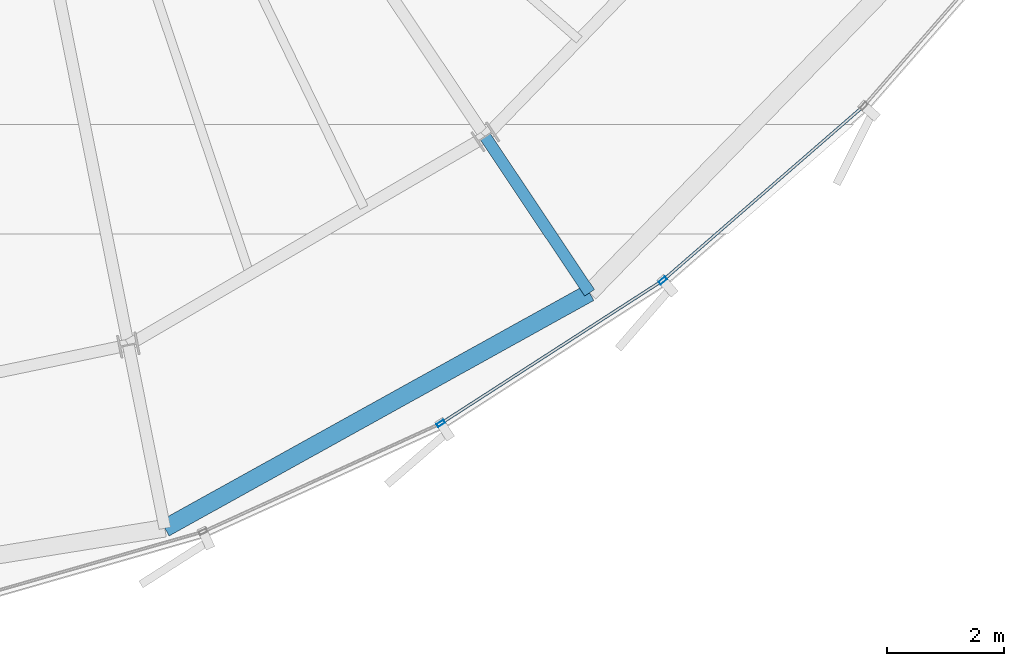
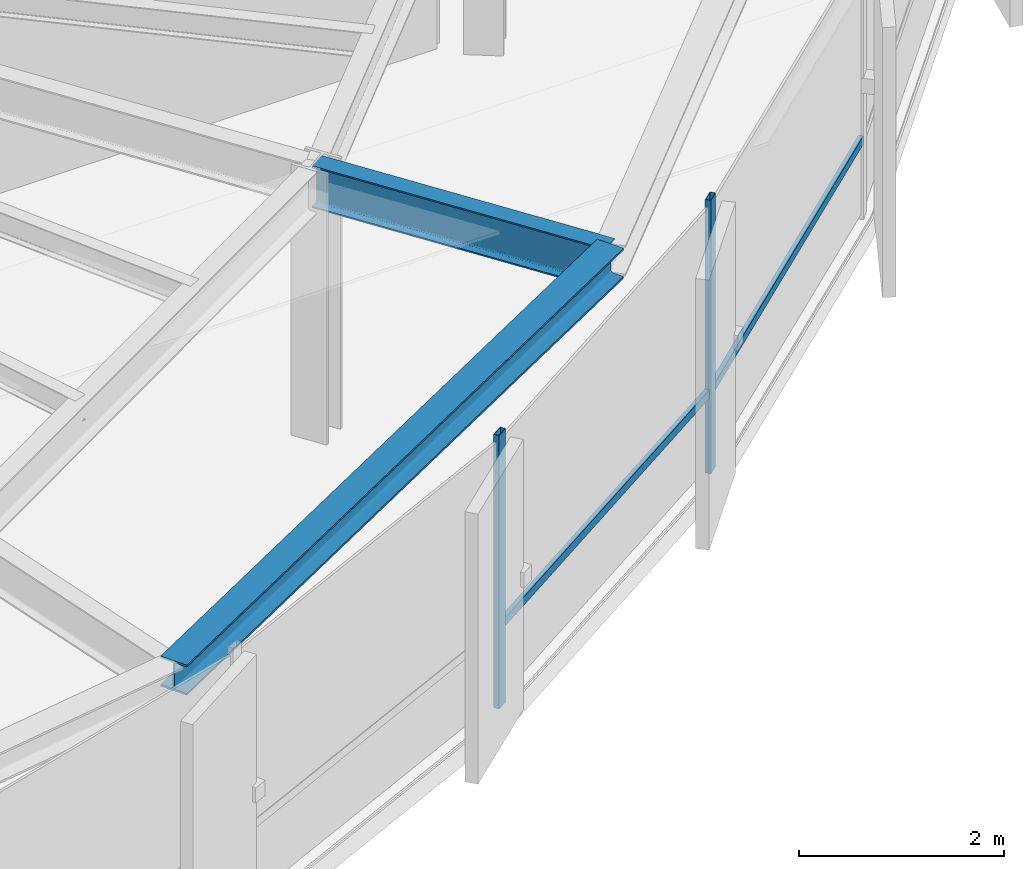
# One storey, part 13 of 34: 4 members, 2 beams, 1 element without a shape of its own.
"""IFC4 building model written with IfcOpenShell, lengths in metres."""

from ifc_helpers import new_model, si_unit, direction, frame, origin, origin_2d, place, context, subcontext, project, spatial, hollow_rectangle, i_section, extrude, source, transform, mapped, material, layer, layer_set, material_profile, profile_set, type_object, element, aggregate, save


model = new_model("IFC4")

# Units and contexts
model_context = context("Model", 3, precision=1e-05, world=origin(), true_north=direction((0.0, 1.0)))
body_context = subcontext(model_context, "Body", "Model", "MODEL_VIEW")
ifc_project = project(units=[si_unit("LENGTHUNIT", "METRE"), si_unit("AREAUNIT", "SQUARE_METRE"), si_unit("VOLUMEUNIT", "CUBIC_METRE"), si_unit("PLANEANGLEUNIT", "RADIAN"), si_unit("MASSUNIT", "GRAM", prefix="KILO"), si_unit("THERMODYNAMICTEMPERATUREUNIT", "KELVIN")], contexts=[model_context])

# Site, building, storey
site_placement = place(None, origin())
site = spatial("IfcSite", under=ifc_project, at=site_placement, CompositionType="ELEMENT")
building_placement = place(site_placement, origin())
building = spatial("IfcBuilding", under=site, at=building_placement, Name="Kethvar Cultural Tower", CompositionType="ELEMENT")
storey_placement = place(building_placement, frame((0.0, 0.0, 183.39990234375)))
storey = spatial("IfcBuildingStorey", under=building, at=storey_placement, Name="L47", CompositionType="ELEMENT", Elevation=183.39990234375)

# Beams
ifc_material_1 = material(Name="Steel S355J2", Category="steel")
ifc_material_profile_1 = material_profile(ifc_material_1, i_section(OverallWidth=0.199951171875, OverallDepth=0.5, WebThickness=0.01025390625, FlangeThickness=0.01611328125, FilletRadius=0.02099609375, at=origin_2d()), Name="Steel S355J2 — IPE500")
ifc_profile_set_1 = profile_set([ifc_material_profile_1], Name="Steel S355J2 — IPE500")
beam_type_1 = type_object("IfcBeamType", Name="BM-IPE500", PredefinedType="BEAM", material=ifc_profile_set_1)
shared_shape_1 = source(origin(), body_context, "Body", "SweptSolid", [
    extrude(i_section(OverallWidth=0.199951171875, OverallDepth=0.5, WebThickness=0.01025390625, FlangeThickness=0.01611328125, FilletRadius=0.02099609375, at=origin_2d()), origin(), (0.0, 0.0, 1.0), 3.199951171875),
])
beam_1_placement = place(storey_placement, frame((56.474609375, 13.32080078125, 3.008056640625), z_axis=(0.555580212716, -0.831462943996, 0.0), x_axis=(0.831462943996, 0.555580212716, 0.0)))
element("IfcBeam", 1, at=beam_1_placement, inside=storey, type_object=beam_type_1, Name="L47 Perimeter Cantilever Beam RC-14", PredefinedType="BEAM", context=body_context, shape_type="MappedRepresentation", body=[
    mapped(shared_shape_1, transform((0.0, 0.0, 0.0), scale=1.0)),
])
ifc_material_profile_2 = material_profile(ifc_material_1, i_section(OverallWidth=0.300048828125, OverallDepth=0.360107421875, WebThickness=0.012451171875, FlangeThickness=0.0224609375, FilletRadius=0.027099609375, at=origin_2d()), Name="Steel S355J2 — HEB360")
ifc_profile_set_2 = profile_set([ifc_material_profile_2], Name="Steel S355J2 — HEB360")
beam_type_2 = type_object("IfcBeamType", Name="BM-SP360", PredefinedType="SPANDREL", material=ifc_profile_set_2)
shared_shape_2 = source(origin(), body_context, "Body", "SweptSolid", [
    extrude(i_section(OverallWidth=0.300048828125, OverallDepth=0.360107421875, WebThickness=0.012451171875, FlangeThickness=0.0224609375, FilletRadius=0.027099609375, at=origin_2d()), origin(), (0.0, 0.0, 1.0), 8.283203125),
])
beam_2_placement = place(storey_placement, frame((51.00830078125, 6.6435546875, 3.078125), z_axis=(0.874562938168, 0.484912020044, 0.0), x_axis=(-0.484912020044, 0.874562938168, 0.0)))
element("IfcBeam", 2, at=beam_2_placement, inside=storey, type_object=beam_type_2, Name="L47 Perimeter Spandrel Beam SP-13", PredefinedType="SPANDREL", context=body_context, shape_type="MappedRepresentation", body=[
    mapped(shared_shape_2, transform((0.0, 0.0, 0.0), scale=1.0)),
])

# Curtain wall, members
ifc_material_2 = material(Name="Aluminium 6063-T6", Category="aluminium")
ifc_layer = layer(ifc_material_2, 0.179931640625, Name="Aluminium 6063-T6", Category="aluminium")
ifc_layer_set = layer_set([ifc_layer], Name="Aluminium 6063-T6 (180 mm)")
curtain_wall_type = type_object("IfcCurtainWallType", Name="CW-SYS-04-Z34", PredefinedType="NOTDEFINED", material=ifc_layer_set)
curtain_wall_placement = place(storey_placement, origin())
curtain_wall = element("IfcCurtainWall", 3, at=curtain_wall_placement, inside=storey, type_object=curtain_wall_type, Name="L47 Curtain Wall Run 05", PredefinedType="NOTDEFINED")
ifc_material_profile_3 = material_profile(ifc_material_2, hollow_rectangle(XDim=0.06005859375, YDim=0.139892578125, WallThickness=0.0048828125, at=origin_2d()), Name="Aluminium 6063-T6 — RHS140x60x5")
ifc_profile_set_3 = profile_set([ifc_material_profile_3], Name="Aluminium 6063-T6 — RHS140x60x5")
member_type_1 = type_object("IfcMemberType", Name="CW-SYS-04-Z34-MUL", PredefinedType="MULLION", material=ifc_profile_set_3)
shared_shape_3 = source(origin(), body_context, "Body", "SweptSolid", [
    extrude(hollow_rectangle(XDim=0.06005859375, YDim=0.139892578125, WallThickness=0.0048828125, at=origin_2d()), origin(), (0.0, 0.0, 1.0), 3.260009765625),
])
member_1_placement = place(storey_placement, frame((55.716552734375, 8.431884765625, 0.0), z_axis=(0.0, 0.0, 1.0), x_axis=(-0.541664197576, 0.840594966119, 0.0)))
member_1 = element("IfcMember", 4, at=member_1_placement, type_object=member_type_1, Name="CW-L47-R05 Mullion 3", PredefinedType="MULLION", context=body_context, shape_type="MappedRepresentation", body=[
    mapped(shared_shape_3, transform((0.0, 0.0, 0.0), scale=1.0)),
])
member_2_placement = place(storey_placement, frame((59.501953125, 10.86962890625, 0.0), z_axis=(0.0, 0.0, 1.0), x_axis=(-0.655676952126, 0.755041544851, 0.0)))
member_2 = element("IfcMember", 5, at=member_2_placement, type_object=member_type_1, Name="CW-L47-R05 Mullion 4", PredefinedType="MULLION", context=body_context, shape_type="MappedRepresentation", body=[
    mapped(shared_shape_3, transform((0.0, 0.0, 0.0), scale=1.0)),
])
ifc_material_profile_4 = material_profile(ifc_material_2, hollow_rectangle(XDim=0.050048828125, YDim=0.10009765625, WallThickness=0.00390625, at=origin_2d()), Name="Aluminium 6063-T6 — RHS100x50x4")
ifc_profile_set_4 = profile_set([ifc_material_profile_4], Name="Aluminium 6063-T6 — RHS100x50x4")
member_type_2 = type_object("IfcMemberType", Name="CW-SYS-04-Z34-TRN", PredefinedType="USERDEFINED", material=ifc_profile_set_4)
shared_shape_4 = source(origin(), body_context, "Body", "SweptSolid", [
    extrude(hollow_rectangle(XDim=0.050048828125, YDim=0.10009765625, WallThickness=0.00390625, at=origin_2d()), origin(), (0.0, 0.0, 1.0), 4.431884765625),
])
member_3_placement = place(storey_placement, frame((55.752685546875, 8.455078125, 0.9501953125), z_axis=(0.840585527549, 0.541678844773, 0.0), x_axis=(-0.541678844773, 0.840585527549, 0.0)))
member_3 = element("IfcMember", 6, at=member_3_placement, type_object=member_type_2, Name="CW-L47-R05 Transom 3", ObjectType="TRANSOM", PredefinedType="USERDEFINED", context=body_context, shape_type="MappedRepresentation", body=[
    mapped(shared_shape_4, transform((0.0, 0.0, 0.0), scale=1.0)),
])
shared_shape_5 = source(origin(), body_context, "Body", "SweptSolid", [
    extrude(hollow_rectangle(XDim=0.050048828125, YDim=0.10009765625, WallThickness=0.00390625, at=origin_2d()), origin(), (0.0, 0.0, 1.0), 4.467041015625),
])
member_4_placement = place(storey_placement, frame((59.534423828125, 10.89794921875, 0.9501953125), z_axis=(0.755039526616, 0.655679276208, 0.0), x_axis=(-0.655679276208, 0.755039526616, 0.0)))
member_4 = element("IfcMember", 7, at=member_4_placement, type_object=member_type_2, Name="CW-L47-R05 Transom 4", ObjectType="TRANSOM", PredefinedType="USERDEFINED", context=body_context, shape_type="MappedRepresentation", body=[
    mapped(shared_shape_5, transform((0.0, 0.0, 0.0), scale=1.0)),
])
aggregate(curtain_wall, [member_1, member_2, member_3, member_4])

save(model, "model.ifc")
